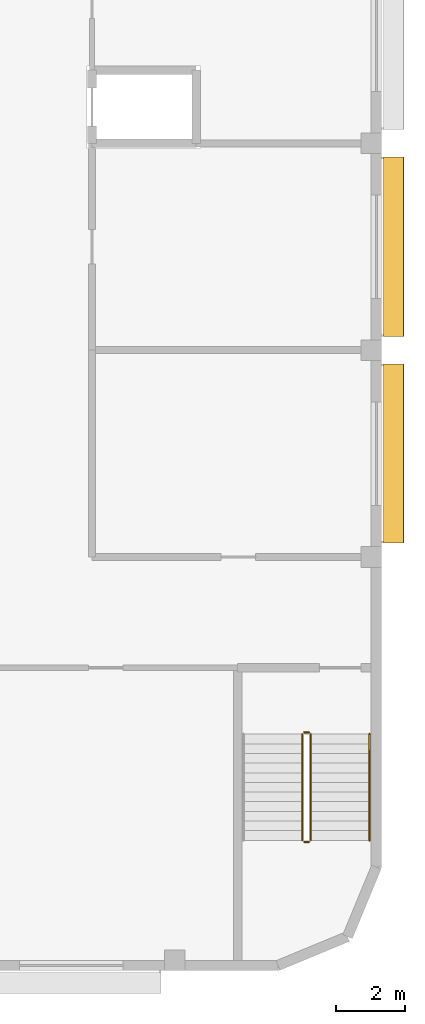
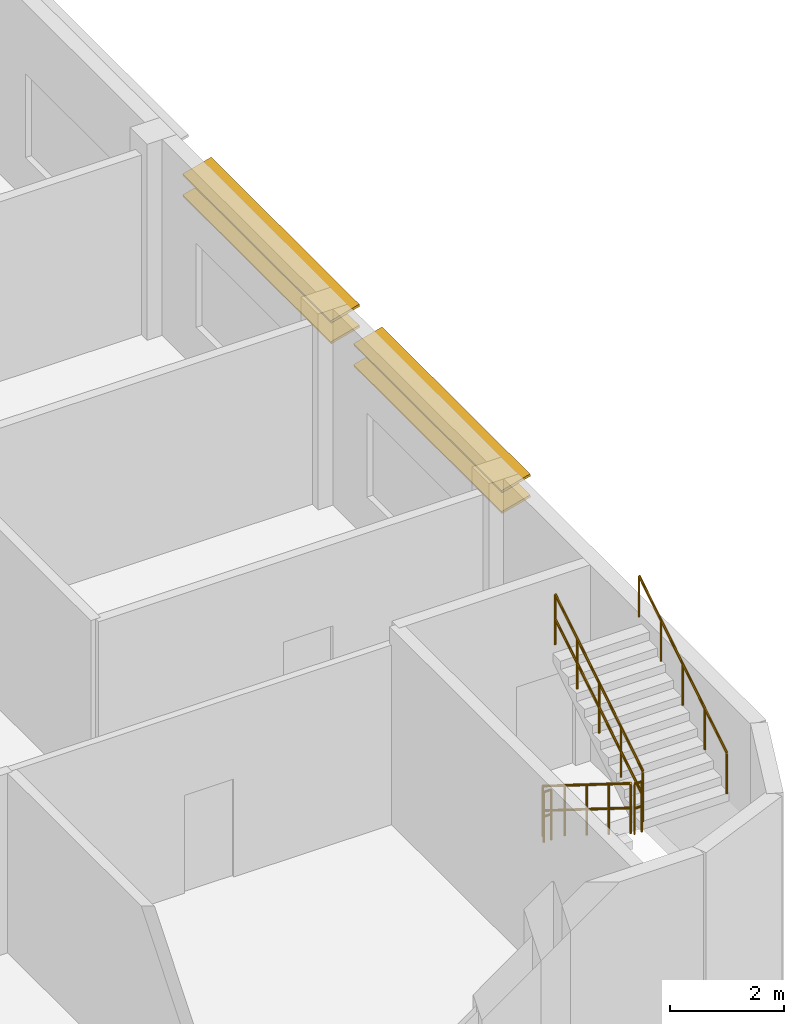
# One storey, part 43 of 45: 5 railings, 4 shading devices.
"""IFC4 building model written with IfcOpenShell, lengths in metres."""

from ifc_helpers import new_model, si_unit, direction, frame, origin, origin_2d, place, context, subcontext, project, spatial, rectangle, circle, extrude, material, material_profile, profile_set, type_object, element, save


model = new_model("IFC4")

# Units and contexts
model_context = context("Model", 3, precision=1e-05, world=origin(), true_north=direction((0.0, 1.0)))
body_context = subcontext(model_context, "Body", "Model", "MODEL_VIEW")
ifc_project = project(units=[si_unit("LENGTHUNIT", "METRE"), si_unit("AREAUNIT", "SQUARE_METRE"), si_unit("VOLUMEUNIT", "CUBIC_METRE"), si_unit("PLANEANGLEUNIT", "RADIAN"), si_unit("MASSUNIT", "GRAM", prefix="KILO")], contexts=[model_context])

# Site, building, storey
site_placement = place(None, origin())
site = spatial("IfcSite", under=ifc_project, at=site_placement, CompositionType="ELEMENT")
building_placement = place(site_placement, origin())
building = spatial("IfcBuilding", under=site, at=building_placement, Name="Nakaniwa Court", CompositionType="ELEMENT")
storey_placement = place(building_placement, frame((0.0, 0.0, 11.39990234375)))
storey = spatial("IfcBuildingStorey", under=building, at=storey_placement, Name="L02", CompositionType="ELEMENT", Elevation=11.39990234375)

# Railings
ifc_material_1 = material(Name="Black powder-coated steel flat bar balustrade S275", Category="steel")
railing_type_1 = type_object("IfcRailingType", Name="Hall guard 1100", PredefinedType="GUARDRAIL", material=ifc_material_1)
railing_1_placement = place(storey_placement, frame((215.699951171875, 62.860107421875, 0.175048828125)))
element("IfcRailing", 1, at=railing_1_placement, inside=storey, type_object=railing_type_1, Name="L02 ST-H3 stair guard 1", PredefinedType="GUARDRAIL", context=body_context, shape_type="SweptSolid", body=[
    extrude(circle(Radius=0.02392578125, at=origin_2d()), frame((0.0, 0.0, 1.076171875), z_axis=(0.0, -0.847998304005, 0.529998940003), x_axis=(1.0, 0.0, 0.0)), (0.0, 0.0, 1.0), 3.632080078125),
    extrude(circle(Radius=0.02392578125, at=origin_2d()), frame((0.0, 0.0, 0.550048828125), z_axis=(0.0, -0.847998304005, 0.529998940003), x_axis=(1.0, 0.0, 0.0)), (0.0, 0.0, 1.0), 3.632080078125),
    extrude(circle(Radius=0.02099609375, at=origin_2d()), origin(), (0.0, 0.0, 1.0), 1.052001953125),
    extrude(circle(Radius=0.02099609375, at=origin_2d()), frame((0.0, -0.77001953125, 0.481201171875)), (0.0, 0.0, 1.0), 1.052001953125),
    extrude(circle(Radius=0.02099609375, at=origin_2d()), frame((0.0, -1.5400390625, 0.96240234375)), (0.0, 0.0, 1.0), 1.052001953125),
    extrude(circle(Radius=0.02099609375, at=origin_2d()), frame((0.0, -2.31005859375, 1.44384765625)), (0.0, 0.0, 1.0), 1.052001953125),
    extrude(circle(Radius=0.02099609375, at=origin_2d()), frame((0.0, -3.080078125, 1.925048828125)), (0.0, 0.0, 1.0), 1.052001953125),
])
railing_2_placement = place(storey_placement, frame((215.75, 59.72998046875, 2.10009765625)))
element("IfcRailing", 2, at=railing_2_placement, inside=storey, type_object=railing_type_1, Name="L02 ST-H3 stair guard 2", PredefinedType="GUARDRAIL", context=body_context, shape_type="SweptSolid", body=[
    extrude(circle(Radius=0.02392578125, at=origin_2d()), frame((0.0, 0.0, 1.076171875), z_axis=(1.0, 0.0, 0.0), x_axis=(0.0, 1.0, 0.0)), (0.0, 0.0, 1.0), 0.14990234375),
    extrude(circle(Radius=0.02392578125, at=origin_2d()), frame((0.0, 0.0, 0.550048828125), z_axis=(1.0, 0.0, 0.0), x_axis=(0.0, 1.0, 0.0)), (0.0, 0.0, 1.0), 0.14990234375),
    extrude(circle(Radius=0.02099609375, at=origin_2d()), origin(), (0.0, 0.0, 1.0), 1.052001953125),
    extrude(circle(Radius=0.02099609375, at=origin_2d()), frame((0.14990234375, 0.0, 0.0)), (0.0, 0.0, 1.0), 1.052001953125),
])
railing_3_placement = place(storey_placement, frame((215.949951171875, 59.780029296875, 2.275146484375)))
element("IfcRailing", 3, at=railing_3_placement, inside=storey, type_object=railing_type_1, Name="L02 ST-H3 stair guard 3", PredefinedType="GUARDRAIL", context=body_context, shape_type="SweptSolid", body=[
    extrude(circle(Radius=0.02392578125, at=origin_2d()), frame((0.0, 0.0, 1.076171875), z_axis=(0.0, 0.847998304005, 0.529998940003), x_axis=(-1.0, 0.0, 0.0)), (0.0, 0.0, 1.0), 3.632080078125),
    extrude(circle(Radius=0.02392578125, at=origin_2d()), frame((0.0, 0.0, 0.550048828125), z_axis=(0.0, 0.847998304005, 0.529998940003), x_axis=(-1.0, 0.0, 0.0)), (0.0, 0.0, 1.0), 3.632080078125),
    extrude(circle(Radius=0.02099609375, at=origin_2d()), origin(), (0.0, 0.0, 1.0), 1.052001953125),
    extrude(circle(Radius=0.02099609375, at=origin_2d()), frame((0.0, 0.77001953125, 0.481201171875)), (0.0, 0.0, 1.0), 1.052001953125),
    extrude(circle(Radius=0.02099609375, at=origin_2d()), frame((0.0, 1.5400390625, 0.96240234375)), (0.0, 0.0, 1.0), 1.052001953125),
    extrude(circle(Radius=0.02099609375, at=origin_2d()), frame((0.0, 2.31005859375, 1.44384765625)), (0.0, 0.0, 1.0), 1.052001953125),
    extrude(circle(Radius=0.02099609375, at=origin_2d()), frame((0.0, 3.080078125, 1.925048828125)), (0.0, 0.0, 1.0), 1.052001953125),
])
railing_4_placement = place(storey_placement, frame((215.75, 62.909912109375, 0.0)))
element("IfcRailing", 4, at=railing_4_placement, inside=storey, type_object=railing_type_1, Name="L02 ST-H3 stair guard 4", PredefinedType="GUARDRAIL", context=body_context, shape_type="SweptSolid", body=[
    extrude(circle(Radius=0.02392578125, at=origin_2d()), frame((0.0, 0.0, 1.076171875), z_axis=(1.0, 0.0, 0.0), x_axis=(0.0, 1.0, 0.0)), (0.0, 0.0, 1.0), 0.14990234375),
    extrude(circle(Radius=0.02392578125, at=origin_2d()), frame((0.0, 0.0, 0.550048828125), z_axis=(1.0, 0.0, 0.0), x_axis=(0.0, 1.0, 0.0)), (0.0, 0.0, 1.0), 0.14990234375),
    extrude(circle(Radius=0.02099609375, at=origin_2d()), origin(), (0.0, 0.0, 1.0), 1.052001953125),
    extrude(circle(Radius=0.02099609375, at=origin_2d()), frame((0.14990234375, 0.0, 0.0)), (0.0, 0.0, 1.0), 1.052001953125),
])

# Shading devices
ifc_material_2 = material(Name="Perforated charcoal ceramic louvre blade")
ifc_material_profile = material_profile(ifc_material_2, rectangle(XDim=0.60009765625, YDim=0.050048828125, at=origin_2d()), Name="Hall perforated ceramic louvre blade")
ifc_profile_set = profile_set([ifc_material_profile], Name="Perforated charcoal ceramic louvre blade")
shading_device_type = type_object("IfcShadingDeviceType", Name="Hall perforated ceramic louvre blade", PredefinedType="JALOUSIE", material=ifc_profile_set)
for number, where, z_axis, x_axis, name in (
    (5, (218.356201171875, 79.60009765625, 3.0), (0.0, -1.0, 0.0), (0.965925826289, 0.0, 0.258819045103), "Louvre blade L02 026.1"),
    (6, (218.356201171875, 79.60009765625, 3.4501953125), (0.0, -1.0, 0.0), (0.965925826289, 0.0, 0.258819045103), "Louvre blade L02 026.2"),
    (7, (218.356201171875, 73.60009765625, 3.0), (0.0, -1.0, 0.0), (0.965925826289, 0.0, 0.258819045103), "Louvre blade L02 027.1"),
    (8, (218.356201171875, 73.60009765625, 3.4501953125), (0.0, -1.0, 0.0), (0.965925826289, 0.0, 0.258819045103), "Louvre blade L02 027.2"),
):
    element("IfcShadingDevice", number, at=place(storey_placement, frame(where, z_axis=z_axis, x_axis=x_axis)), inside=storey, type_object=shading_device_type, Name=name, PredefinedType="JALOUSIE", context=body_context, shape_type="SweptSolid", body=[
        extrude(rectangle(XDim=0.60009765625, YDim=0.050048828125, at=origin_2d()), origin(), (0.0, 0.0, 1.0), 5.2001953125),
    ])

# Railing
ifc_material_3 = material(Name="Brushed stainless steel handrail Grade 304", Category="steel")
railing_type_2 = type_object("IfcRailingType", Name="Hall stair handrail 900", PredefinedType="HANDRAIL", material=ifc_material_3)
railing_5_placement = place(storey_placement, frame((217.64990234375, 59.780029296875, 2.275146484375)))
element("IfcRailing", 9, at=railing_5_placement, inside=storey, type_object=railing_type_2, Name="L02 ST-H3 stair handrail 2", PredefinedType="HANDRAIL", context=body_context, shape_type="SweptSolid", body=[
    extrude(circle(Radius=0.02392578125, at=origin_2d()), frame((0.0, 0.0, 0.8759765625), z_axis=(0.0, 0.847998304005, 0.529998940003), x_axis=(-1.0, 0.0, 0.0)), (0.0, 0.0, 1.0), 3.632080078125),
    extrude(circle(Radius=0.02099609375, at=origin_2d()), origin(), (0.0, 0.0, 1.0), 0.851806640625),
    extrude(circle(Radius=0.02099609375, at=origin_2d()), frame((0.0, 0.77001953125, 0.481201171875)), (0.0, 0.0, 1.0), 0.851806640625),
    extrude(circle(Radius=0.02099609375, at=origin_2d()), frame((0.0, 1.5400390625, 0.96240234375)), (0.0, 0.0, 1.0), 0.851806640625),
    extrude(circle(Radius=0.02099609375, at=origin_2d()), frame((0.0, 2.31005859375, 1.44384765625)), (0.0, 0.0, 1.0), 0.851806640625),
    extrude(circle(Radius=0.02099609375, at=origin_2d()), frame((0.0, 3.080078125, 1.925048828125)), (0.0, 0.0, 1.0), 0.851806640625),
])

save(model, "model.ifc")
